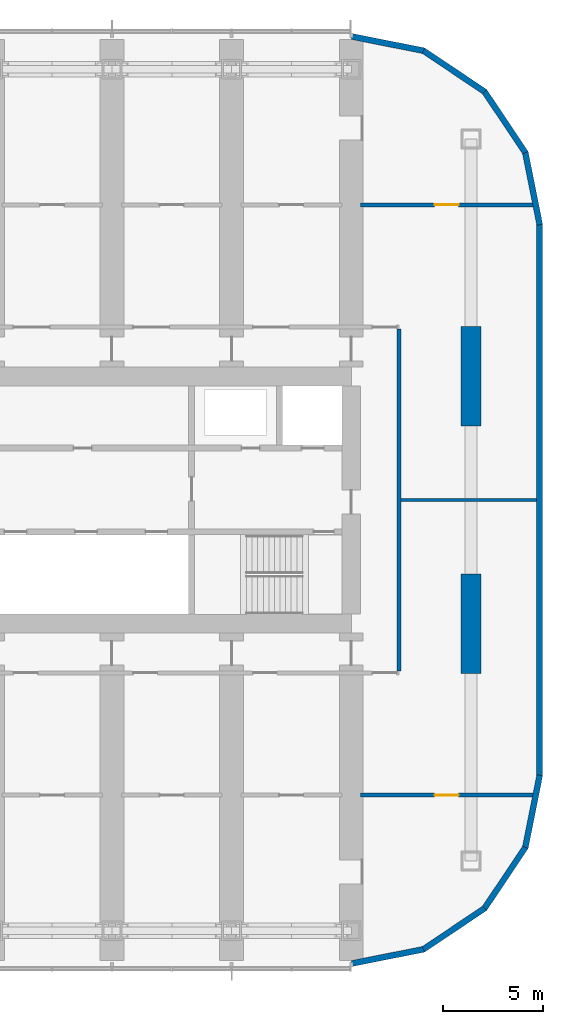
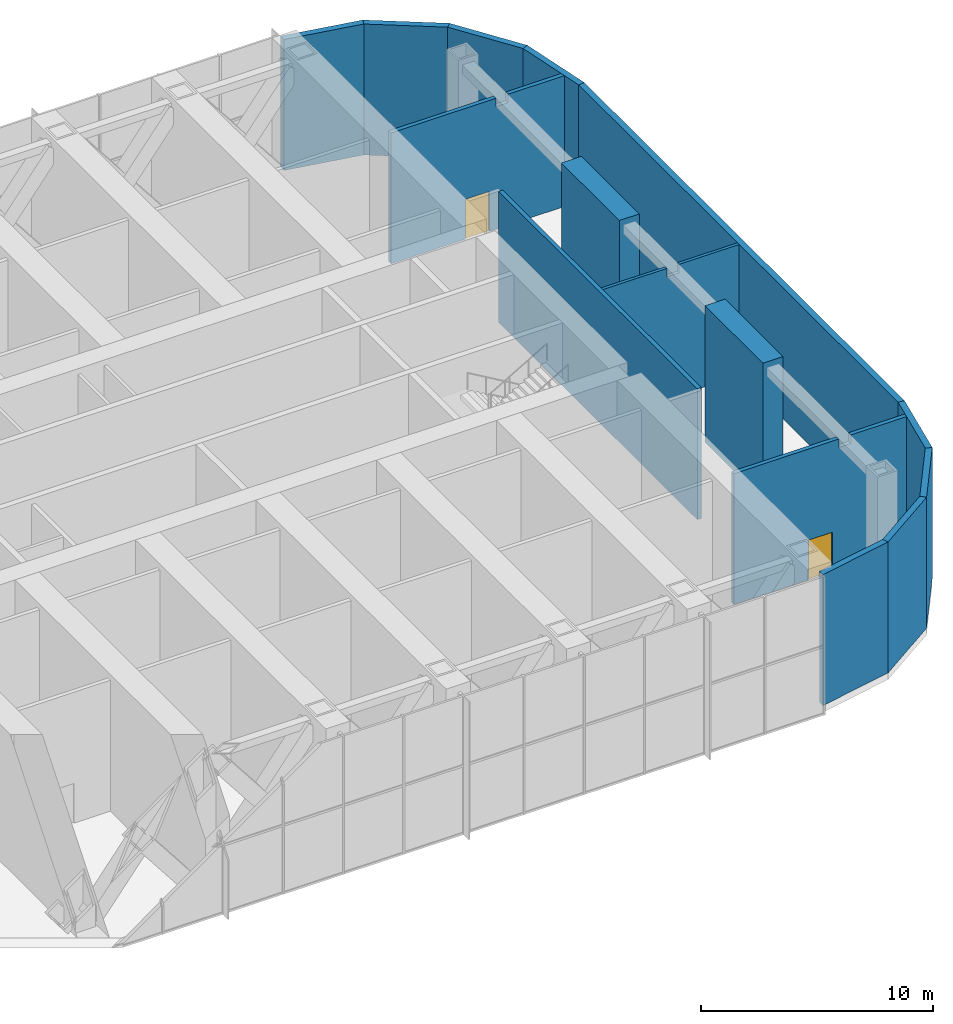
# One storey, part 13 of 22: 15 walls, 2 doors, 2 openings.
"""IFC4 building model written with IfcOpenShell, lengths in metres."""

from ifc_helpers import new_model, si_unit, direction, frame, frame_2d, origin, place, context, subcontext, project, spatial, polyline, rectangle, outline, extrude, clip, halfspace, material, layer, layer_set, type_object, element, fill, save


model = new_model("IFC4")

# Units and contexts
model_context = context("Model", 3, precision=1e-05, world=origin(), true_north=direction((0.0, 1.0)))
body_context = subcontext(model_context, "Body", "Model", "MODEL_VIEW")
ifc_project = project(units=[si_unit("LENGTHUNIT", "METRE"), si_unit("AREAUNIT", "SQUARE_METRE"), si_unit("VOLUMEUNIT", "CUBIC_METRE"), si_unit("PLANEANGLEUNIT", "RADIAN"), si_unit("MASSUNIT", "GRAM", prefix="KILO")], contexts=[model_context])

# Site, building, storey
site_placement = place(None, origin())
site = spatial("IfcSite", under=ifc_project, at=site_placement, CompositionType="ELEMENT")
building_placement = place(site_placement, origin())
building = spatial("IfcBuilding", under=site, at=building_placement, Name="Orbita Commons", CompositionType="ELEMENT")
storey_placement = place(building_placement, frame((0.0, 0.0, 133.14990234375)))
storey = spatial("IfcBuildingStorey", under=building, at=storey_placement, Name="L33", CompositionType="ELEMENT", Elevation=133.14990234375)

# Wall
ifc_material_1 = material(Name="Concrete blockwork", Category="masonry")
ifc_layer_1 = layer(ifc_material_1, 0.199951171875)
ifc_layer_set_1 = layer_set([ifc_layer_1], Name="Concrete blockwork")
wall_type_1 = type_object("IfcWallType", Name="Corridor wall 200 blockwork", PredefinedType="SOLIDWALL", material=ifc_layer_set_1)
wall_1_placement = place(storey_placement, frame((68.39990234375, 23.425048828125, 0.0), z_axis=(0.0, 0.0, 1.0), x_axis=(0.0, 1.0, 0.0)))
element("IfcWall", 1, at=wall_1_placement, inside=storey, type_object=wall_type_1, Name="Corridor wall 200 blockwork L33", PredefinedType="SOLIDWALL", context=body_context, shape_type="SweptSolid", body=[
    extrude(rectangle(XDim=17.14990234375, YDim=0.199951171875, at=frame_2d((8.574951171875, 0.0))), origin(), (0.0, 0.0, 1.0), 6.900146484375),
])

# Wall, opening, door
ifc_material_2 = material(Name="Hollow concrete block 200", Category="concrete")
ifc_layer_2 = layer(ifc_material_2, 0.199951171875)
ifc_layer_set_2 = layer_set([ifc_layer_2], Name="Hollow concrete block 200")
wall_type_2 = type_object("IfcWallType", Name="Corridor wall 200 hollow concrete block", PredefinedType="SOLIDWALL", material=ifc_layer_set_2)
wall_2_placement = place(storey_placement, frame((66.47509765625, 17.199951171875, 0.0), z_axis=(0.0, 0.0, 1.0), x_axis=(1.0, 0.0, 0.0)))
wall_2 = element("IfcWall", 2, at=wall_2_placement, inside=storey, type_object=wall_type_2, Name="Corridor wall 200 hollow concrete block L33", PredefinedType="SOLIDWALL", context=body_context, shape_type="Clipping", body=[
    clip(clip(extrude(outline(polyline([(-0.02978515625, 0.0), (8.647705078125, 0.0), (8.647705078125, 6.900146484375), (5.826904296875, 6.900146484375), (5.824951171875, 6.4501953125), (5.22705078125, 6.4501953125), (5.22509765625, 6.900146484375), (-0.02978515625, 6.900146484375), (-0.02978515625, 0.0)])), frame((0.0, 0.10009765625, 0.0), z_axis=(0.0, -1.0, 0.0), x_axis=(1.0, 0.0, 0.0)), (0.0, 0.0, 1.0), 0.199951171875), halfspace(frame((0.0, 0.0, 0.0), z_axis=(-1.0, 0.0, 0.0)), False)), halfspace(frame((8.617919921875, 0.0, 0.0), z_axis=(0.98078778892, -0.195077710428, 0.0)), False)),
])
opening_1_placement = place(wall_2_placement, frame((3.70751953125, 0.0, 0.0)))
opening_1 = element("IfcOpeningElement", 3, at=opening_1_placement, cuts=wall_2, Name="Opening D01", PredefinedType="OPENING", context=body_context, shape_type="SweptSolid", body=[
    extrude(rectangle(XDim=1.199951171875, YDim=2.10009765625, at=frame_2d((0.60009765625, 1.050048828125))), frame((0.0, 0.10986328125, 0.0), z_axis=(0.0, -1.0, 0.0), x_axis=(1.0, 0.0, 0.0)), (0.0, 0.0, 1.0), 0.219970703125),
])
ifc_material_3 = material(Name="Steel-faced fire door leaf", Category="steel")
door_type = type_object("IfcDoorType", Name="Fire door 90 min 1200x2100", OperationType="SINGLE_SWING_LEFT", PredefinedType="DOOR", material=ifc_material_3)
door_1_placement = place(opening_1_placement, origin())
door_1 = element("IfcDoor", 4, at=door_1_placement, inside=storey, type_object=door_type, Name="Refuge area door L33", OperationType="SINGLE_SWING_LEFT", OverallHeight=2.10009765625, OverallWidth=1.199951171875, PredefinedType="DOOR", context=body_context, shape_type="SweptSolid", body=[
    extrude(rectangle(XDim=1.199951171875, YDim=2.10009765625, at=frame_2d((0.60009765625, 1.050048828125))), frame((0.0, 0.02490234375, 0.0), z_axis=(0.0, -1.0, 0.0), x_axis=(1.0, 0.0, 0.0)), (0.0, 0.0, 1.0), 0.050048828125),
])
fill(opening_1, door_1)

wall_3_placement = place(storey_placement, frame((66.47509765625, 46.800048828125, 0.0), z_axis=(0.0, 0.0, 1.0), x_axis=(1.0, 0.0, 0.0)))
wall_3 = element("IfcWall", 5, at=wall_3_placement, inside=storey, type_object=wall_type_2, Name="Corridor wall 200 hollow concrete block L33", PredefinedType="SOLIDWALL", context=body_context, shape_type="Clipping", body=[
    clip(clip(extrude(outline(polyline([(-0.02978515625, 0.0), (8.647705078125, 0.0), (8.647705078125, 6.900146484375), (5.826904296875, 6.900146484375), (5.824951171875, 6.4501953125), (5.22705078125, 6.4501953125), (5.22509765625, 6.900146484375), (-0.02978515625, 6.900146484375), (-0.02978515625, 0.0)])), frame((0.0, 0.10009765625, 0.0), z_axis=(0.0, -1.0, 0.0), x_axis=(1.0, 0.0, 0.0)), (0.0, 0.0, 1.0), 0.199951171875), halfspace(frame((0.0, 0.0, 0.0), z_axis=(-1.0, 0.0, 0.0)), False)), halfspace(frame((8.617919921875, 0.0, 0.0), z_axis=(0.98078778892, 0.195077710428, 0.0)), False)),
])
opening_2_placement = place(wall_3_placement, frame((3.70751953125, 0.0, 0.0)))
opening_2 = element("IfcOpeningElement", 6, at=opening_2_placement, cuts=wall_3, Name="Opening D01", PredefinedType="OPENING", context=body_context, shape_type="SweptSolid", body=[
    extrude(rectangle(XDim=1.199951171875, YDim=2.10009765625, at=frame_2d((0.60009765625, 1.050048828125))), frame((0.0, 0.10986328125, 0.0), z_axis=(0.0, -1.0, 0.0), x_axis=(1.0, 0.0, 0.0)), (0.0, 0.0, 1.0), 0.219970703125),
])
door_2_placement = place(opening_2_placement, origin())
door_2 = element("IfcDoor", 7, at=door_2_placement, inside=storey, type_object=door_type, Name="Plant room door L33", OperationType="SINGLE_SWING_LEFT", OverallHeight=2.10009765625, OverallWidth=1.199951171875, PredefinedType="DOOR", context=body_context, shape_type="SweptSolid", body=[
    extrude(rectangle(XDim=1.199951171875, YDim=2.10009765625, at=frame_2d((0.60009765625, 1.050048828125))), frame((0.0, 0.02490234375, 0.0), z_axis=(0.0, -1.0, 0.0), x_axis=(1.0, 0.0, 0.0)), (0.0, 0.0, 1.0), 0.050048828125),
])
fill(opening_2, door_2)

# Walls
ifc_material_4 = material(Name="Concrete C50/60", Category="concrete")
ifc_layer_3 = layer(ifc_material_4, 1.0)
ifc_layer_set_3 = layer_set([ifc_layer_3], Name="Concrete C50/60")
wall_type_3 = type_object("IfcWallType", Name="End pier 1000x5000 C50/60", PredefinedType="SHEAR", material=ifc_layer_set_3)
for number, where, z_axis, x_axis, name in (
    (8, (72.0, 23.300048828125, 0.0), (0.0, 0.0, 1.0), (0.0, 1.0, 0.0), "End pier 13/C L33"),
    (9, (72.0, 35.699951171875, 0.0), (0.0, 0.0, 1.0), (0.0, 1.0, 0.0), "End pier 13/D L33"),
):
    element("IfcWall", number, at=place(storey_placement, frame(where, z_axis=z_axis, x_axis=x_axis)), inside=storey, type_object=wall_type_3, Name=name, PredefinedType="SHEAR", context=body_context, shape_type="SweptSolid", body=[
        extrude(rectangle(XDim=5.0, YDim=1.0, at=frame_2d((2.5, 0.0))), origin(), (0.0, 0.0, 1.0), 7.2001953125),
    ])
ifc_material_5 = material(Name="Gypsum plasterboard on steel studs", Category="steel")
ifc_layer_4 = layer(ifc_material_5, 0.14990234375)
ifc_layer_set_4 = layer_set([ifc_layer_4], Name="Gypsum plasterboard on steel studs")
wall_type_4 = type_object("IfcWallType", Name="Partition 150 plasterboard", PredefinedType="PARTITIONING", material=ifc_layer_set_4)
wall_4_placement = place(storey_placement, frame((68.5, 32.0, 0.0), z_axis=(0.0, 0.0, 1.0), x_axis=(1.0, 0.0, 0.0)))
element("IfcWall", 10, at=wall_4_placement, inside=storey, type_object=wall_type_4, Name="Partition 150 plasterboard L33", PredefinedType="PARTITIONING", context=body_context, shape_type="SweptSolid", body=[
    extrude(outline(polyline([(0.0, 0.0), (6.794921875, 0.0), (6.794921875, 6.900146484375), (3.802001953125, 6.900146484375), (3.800048828125, 6.4501953125), (3.201904296875, 6.4501953125), (3.199951171875, 6.900146484375), (0.0, 6.900146484375), (0.0, 0.0)])), frame((0.0, 0.074951171875, 0.0), z_axis=(0.0, -1.0, 0.0), x_axis=(1.0, 0.0, 0.0)), (0.0, 0.0, 1.0), 0.14990234375),
])
ifc_material_6 = material(Name="Precast concrete C40/50, white board-marked finish", Category="concrete")
ifc_layer_5 = layer(ifc_material_6, 0.300048828125)
ifc_layer_set_5 = layer_set([ifc_layer_5], Name="Precast concrete C40/50, white board-marked finish")
wall_type_5 = type_object("IfcWallType", Name="Precast concrete end shield 300", PredefinedType="SOLIDWALL", material=ifc_layer_set_5)
wall_5_placement = place(storey_placement, frame((75.449951171875, 18.199951171875, 0.0), z_axis=(0.0, 0.0, 1.0), x_axis=(0.0, 1.0, 0.0)))
element("IfcWall", 11, at=wall_5_placement, inside=storey, type_object=wall_type_5, Name="End shield E L33", PredefinedType="SOLIDWALL", context=body_context, shape_type="SweptSolid", body=[
    extrude(outline(polyline([(-0.014892578125, -0.14990234375), (27.614990234375, -0.14990234375), (27.585205078125, 0.14990234375), (0.014892578125, 0.14990234375), (-0.014892578125, -0.14990234375)])), origin(), (0.0, 0.0, 1.0), 6.900146484375),
])
for number, where, z_axis, x_axis, name in (
    (12, (66.0, 8.75, 0.0), (0.0, 0.0, 1.0), (0.980791473772, 0.195059183267, 0.0), "End shield SE chord 1 L33"),
    (13, (69.616455078125, 9.46923828125, 0.0), (0.0, 0.0, 1.0), (0.831448786846, 0.555601399253, 0.0), "End shield SE chord 2 L33"),
    (14, (72.68212890625, 11.517822265625, 0.0), (0.0, 0.0, 1.0), (0.555601399253, 0.831448786846, 0.0), "End shield SE chord 3 L33"),
):
    element("IfcWall", number, at=place(storey_placement, frame(where, z_axis=z_axis, x_axis=x_axis)), inside=storey, type_object=wall_type_5, Name=name, PredefinedType="SOLIDWALL", context=body_context, shape_type="SweptSolid", body=[
        extrude(outline(polyline([(-0.02978515625, -0.14990234375), (3.717041015625, -0.14990234375), (3.657470703125, 0.14990234375), (0.02978515625, 0.14990234375), (-0.02978515625, -0.14990234375)])), origin(), (0.0, 0.0, 1.0), 6.900146484375),
    ])
wall_6_placement = place(storey_placement, frame((74.730712890625, 14.58349609375, 0.0), z_axis=(0.0, 0.0, 1.0), x_axis=(0.195059183267, 0.980791473772, 0.0)))
element("IfcWall", 15, at=wall_6_placement, inside=storey, type_object=wall_type_5, Name="End shield SE chord 4 L33", PredefinedType="SOLIDWALL", context=body_context, shape_type="SweptSolid", body=[
    extrude(outline(polyline([(-0.02978515625, -0.14990234375), (3.7021484375, -0.14990234375), (3.67236328125, 0.14990234375), (0.02978515625, 0.14990234375), (-0.02978515625, -0.14990234375)])), origin(), (0.0, 0.0, 1.0), 6.900146484375),
])
wall_7_placement = place(storey_placement, frame((75.449951171875, 45.800048828125, 0.0), z_axis=(0.0, 0.0, 1.0), x_axis=(-0.195059183267, 0.980791473772, 0.0)))
element("IfcWall", 16, at=wall_7_placement, inside=storey, type_object=wall_type_5, Name="End shield NE chord 1 L33", PredefinedType="SOLIDWALL", context=body_context, shape_type="SweptSolid", body=[
    extrude(outline(polyline([(-0.014892578125, -0.14990234375), (3.717041015625, -0.14990234375), (3.657470703125, 0.14990234375), (0.014892578125, 0.14990234375), (-0.014892578125, -0.14990234375)])), origin(), (0.0, 0.0, 1.0), 6.900146484375),
])
for number, where, z_axis, x_axis, name in (
    (17, (74.730712890625, 49.41650390625, 0.0), (0.0, 0.0, 1.0), (-0.555601399253, 0.831448786846, 0.0), "End shield NE chord 2 L33"),
    (18, (72.68212890625, 52.482177734375, 0.0), (0.0, 0.0, 1.0), (-0.831448786846, 0.555601399253, 0.0), "End shield NE chord 3 L33"),
    (19, (69.616455078125, 54.53076171875, 0.0), (0.0, 0.0, 1.0), (-0.980791473772, 0.195059183267, 0.0), "End shield NE chord 4 L33"),
):
    element("IfcWall", number, at=place(storey_placement, frame(where, z_axis=z_axis, x_axis=x_axis)), inside=storey, type_object=wall_type_5, Name=name, PredefinedType="SOLIDWALL", context=body_context, shape_type="SweptSolid", body=[
        extrude(outline(polyline([(-0.02978515625, -0.14990234375), (3.717041015625, -0.14990234375), (3.657470703125, 0.14990234375), (0.02978515625, 0.14990234375), (-0.02978515625, -0.14990234375)])), origin(), (0.0, 0.0, 1.0), 6.900146484375),
    ])

save(model, "model.ifc")
